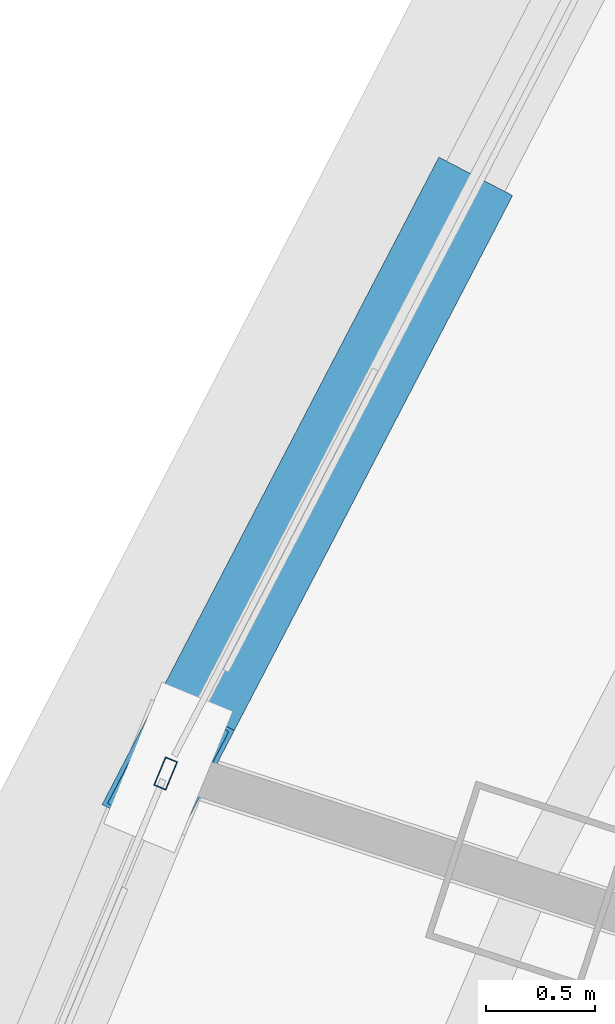
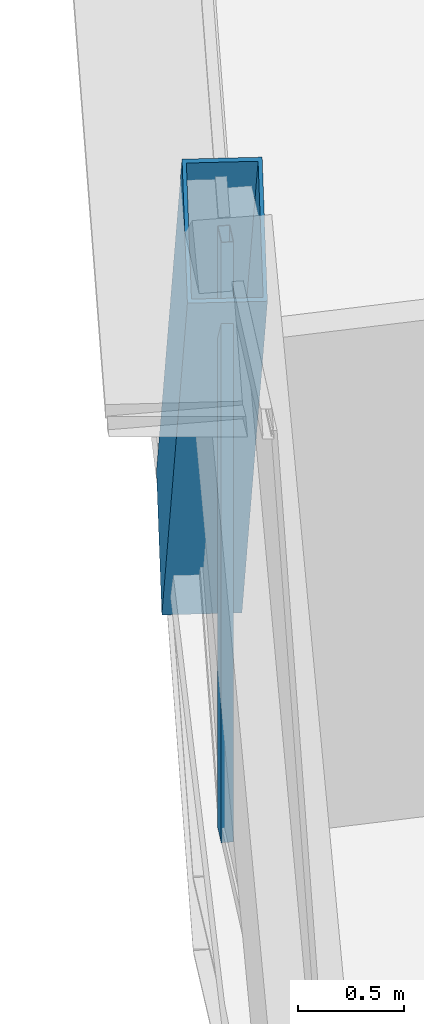
# One storey, part 8 of 35: 2 members, 1 element without a shape of its own.
"""IFC4 building model written with IfcOpenShell, lengths in metres."""

import ifcopenshell
import ifcopenshell.guid

model = None  # the IFC model being written
_history = None  # IfcOwnerHistory: only IFC2X3 demands one
_inside = {}  # id of a spatial element -> (the spatial element, [elements in it])
_under = {}  # id of a project, library or spatial element -> (it, [spatial elements below it])
_declared = {}  # id of a project -> (the project, [libraries it declares])
_typed = {}  # id of a type object -> (the type object, [elements of that type])
_made_of = {}  # id of a material, layer set ... -> (it, [elements and type objects made of it])


def new_model(schema):
    """Start an empty IFC model of exactly this schema.

    Asked for "IFC4X3", IfcOpenShell would pick the latest addendum, in which some entities
    have other attributes; the version numbers below select the first issue.
    IFC2X3 requires an IfcOwnerHistory on every rooted entity: one is made here for all.
    """
    global model, _history
    if schema == "IFC4X3":
        model = ifcopenshell.file(schema_version=(4, 3, 0, 0))
    else:
        model = ifcopenshell.file(schema=schema)
    _inside.clear()
    _under.clear()
    _declared.clear()
    _typed.clear()
    _made_of.clear()
    _history = None
    if model.schema == "IFC2X3":
        org = make("IfcOrganization", Name="unknown")
        user = make(
            "IfcPersonAndOrganization",
            ThePerson=make("IfcPerson", FamilyName="unknown"),
            TheOrganization=org,
        )
        app = make(
            "IfcApplication",
            ApplicationDeveloper=org,
            Version="unknown",
            ApplicationFullName="unknown",
            ApplicationIdentifier="unknown",
        )
        _history = make(
            "IfcOwnerHistory",
            OwningUser=user,
            OwningApplication=app,
            ChangeAction="ADDED",
            CreationDate=0,
        )
    return model


def make(cls, **values):
    """One entity of the class cls with the attributes given. An attribute that is None is left unset."""
    return model.create_entity(
        cls, **{name: value for name, value in values.items() if value is not None}
    )


def rooted(cls, **values):
    """An entity with a GlobalId (a new one), such as an element, a storey or a relation."""
    return make(cls, GlobalId=ifcopenshell.guid.new(), OwnerHistory=_history, **values)


def si_unit(unit_type, name, prefix=None):
    """IfcSIUnit, for example si_unit("LENGTHUNIT", "METRE", prefix="MILLI")."""
    return make("IfcSIUnit", UnitType=unit_type, Prefix=prefix, Name=name)


def assignment(units):
    """IfcUnitAssignment: the units of a project."""
    return None if units is None else make("IfcUnitAssignment", Units=units)


def point(xyz):
    """IfcCartesianPoint."""
    return None if xyz is None else make("IfcCartesianPoint", Coordinates=xyz)


def direction(xyz):
    """IfcDirection."""
    return None if xyz is None else make("IfcDirection", DirectionRatios=xyz)


def frame(location, z_axis=None, x_axis=None):
    """IfcAxis2Placement3D, a coordinate frame: its origin and axes. An axis left out is left unset."""
    return make(
        "IfcAxis2Placement3D",
        Location=point(location),
        Axis=direction(z_axis),
        RefDirection=direction(x_axis),
    )


def frame_2d(location, x_axis=None):
    """IfcAxis2Placement2D, a coordinate frame in the plane: its origin and x axis."""
    return make(
        "IfcAxis2Placement2D", Location=point(location), RefDirection=direction(x_axis)
    )


def origin():
    """The frame at (0, 0, 0) with its axes left unset."""
    return frame((0.0, 0.0, 0.0))


def origin_2d():
    """The frame at (0, 0) in the plane with its x axis left unset."""
    return frame_2d((0.0, 0.0))


def place(relative_to, where):
    """IfcLocalPlacement: puts the frame where relative to a parent placement (None: the world)."""
    return make(
        "IfcLocalPlacement", PlacementRelTo=relative_to, RelativePlacement=where
    )


def context(
    kind, dimensions, precision=None, world=None, true_north=None, identifier=None
):
    """IfcGeometricRepresentationContext, for example the 3D "Model" context."""
    return make(
        "IfcGeometricRepresentationContext",
        ContextIdentifier=identifier,
        ContextType=kind,
        CoordinateSpaceDimension=dimensions,
        Precision=precision,
        WorldCoordinateSystem=world,
        TrueNorth=true_north,
    )


def subcontext(parent, identifier, kind, view, scale=None):
    """IfcGeometricRepresentationSubContext, for example "Body" below "Model"."""
    return make(
        "IfcGeometricRepresentationSubContext",
        ContextIdentifier=identifier,
        ContextType=kind,
        ParentContext=parent,
        TargetScale=scale,
        TargetView=view,
    )


def project(units=None, contexts=None):
    """IfcProject with its units and contexts."""
    return rooted(
        "IfcProject",
        Name="project",
        RepresentationContexts=contexts,
        UnitsInContext=assignment(units),
    )


def spatial(cls, under=None, at=None, **own):
    """A site, building, storey or space (cls), placed at a placement, below another one or the project."""
    s = rooted(cls, ObjectPlacement=at, **own)
    if under is not None:
        _under.setdefault(under.id(), (under, []))[1].append(s)
    return s


def profile(cls, at=None, kind="AREA", **sizes):
    """A parametric profile (cls). Its sizes go by their IFC names, for example OverallWidth=200.0."""
    return make(cls, ProfileType=kind, Position=at, **sizes)


def hollow_rectangle(**sizes):
    """IfcRectangleHollowProfileDef."""
    return profile("IfcRectangleHollowProfileDef", **sizes)


def extrude(swept, where, along, depth):
    """IfcExtrudedAreaSolid: the profile swept, set in the frame where, extruded along a direction by depth."""
    return make(
        "IfcExtrudedAreaSolid",
        SweptArea=swept,
        Position=where,
        ExtrudedDirection=direction(along),
        Depth=depth,
    )


def shape(context_of_items, identifier, shape_type, items):
    """IfcShapeRepresentation: the items that make up one representation, for example the "Body"."""
    return make(
        "IfcShapeRepresentation",
        ContextOfItems=context_of_items,
        RepresentationIdentifier=identifier,
        RepresentationType=shape_type,
        Items=items,
    )


def source(mapping_origin, context_of_items, identifier, shape_type, items):
    """IfcRepresentationMap: a shape defined once, which mapped items show again and again."""
    return make(
        "IfcRepresentationMap",
        MappingOrigin=mapping_origin,
        MappedRepresentation=shape(context_of_items, identifier, shape_type, items),
    )


def transform(
    local_origin,
    x_axis=None,
    y_axis=None,
    z_axis=None,
    scale=None,
    scale2=None,
    scale3=None,
    uniform=True,
):
    """IfcCartesianTransformationOperator3D, or its non-uniform kind. x_axis, y_axis, z_axis: its Axis1, 2, 3."""
    if uniform:
        return make(
            "IfcCartesianTransformationOperator3D",
            Axis1=direction(x_axis),
            Axis2=direction(y_axis),
            LocalOrigin=point(local_origin),
            Scale=scale,
            Axis3=direction(z_axis),
        )
    return make(
        "IfcCartesianTransformationOperator3DnonUniform",
        Axis1=direction(x_axis),
        Axis2=direction(y_axis),
        LocalOrigin=point(local_origin),
        Scale=scale,
        Axis3=direction(z_axis),
        Scale2=scale2,
        Scale3=scale3,
    )


def mapped(mapping_source, mapping_target):
    """IfcMappedItem: shows the shape of a source again, moved by a transform."""
    return make(
        "IfcMappedItem", MappingSource=mapping_source, MappingTarget=mapping_target
    )


def material(Name=None, Category=None):
    """IfcMaterial."""
    return make("IfcMaterial", Name=Name, Category=Category)


def layer(
    of_material, thickness, ventilated=None, Name=None, Category=None, Priority=None
):
    """IfcMaterialLayer: one layer of a wall or slab, of a material (None: an air gap)."""
    return make(
        "IfcMaterialLayer",
        Material=of_material,
        LayerThickness=thickness,
        IsVentilated=ventilated,
        Name=Name,
        Category=Category,
        Priority=Priority,
    )


def layer_set(layers, Name=None):
    """IfcMaterialLayerSet."""
    return make("IfcMaterialLayerSet", MaterialLayers=layers, LayerSetName=Name)


def material_profile(
    of_material, cross_section, Name=None, Category=None, Priority=None
):
    """IfcMaterialProfile: a cross section and its material."""
    return make(
        "IfcMaterialProfile",
        Name=Name,
        Material=of_material,
        Profile=cross_section,
        Priority=Priority,
        Category=Category,
    )


def profile_set(profiles, Name=None, composite=None):
    """IfcMaterialProfileSet."""
    return make(
        "IfcMaterialProfileSet",
        Name=Name,
        MaterialProfiles=profiles,
        CompositeProfile=composite,
    )


def made_of(thing, what):
    """Note that an element or type object is made of a material, layer set ...; save() writes the relation."""
    if what is not None:
        _made_of.setdefault(what.id(), (what, []))[1].append(thing)
    return thing


def type_object(cls, material=None, **own):
    """A type object (cls), such as IfcWallType, which elements share."""
    return made_of(rooted(cls, **own), material)


def element(
    cls,
    number,
    at=None,
    inside=None,
    cuts=None,
    type_object=None,
    material=None,
    context=None,
    identifier="Body",
    shape_type=None,
    held_by="IfcProductDefinitionShape",
    body=None,
    shapes=None,
    **own,
):
    """One element of the class cls, such as IfcWall. Its Tag is "e" and its number.

    at: its placement. inside: the storey or other place that contains it. cuts: it is an
    opening in that element (IfcRelVoidsElement). A single representation is given by context,
    identifier, shape_type and body (its items); several are given by shapes. held_by: the class
    of the entity that holds the representations. save() writes the other relations.
    """
    e = rooted(cls, Tag="e%d" % number, ObjectPlacement=at, **own)
    if body is not None:
        shapes = [shape(context, identifier, shape_type, body)]
    if shapes is not None:
        e.Representation = make(held_by, Representations=shapes)
    if inside is not None:
        _inside.setdefault(inside.id(), (inside, []))[1].append(e)
    if cuts is not None:
        rooted(
            "IfcRelVoidsElement", RelatingBuildingElement=cuts, RelatedOpeningElement=e
        )
    if type_object is not None:
        _typed.setdefault(type_object.id(), (type_object, []))[1].append(e)
    return made_of(e, material)


def aggregate(whole, parts):
    """IfcRelAggregates: a whole, such as a stair, and the parts it consists of."""
    return rooted("IfcRelAggregates", RelatingObject=whole, RelatedObjects=parts)


def save(model, path):
    """Write the relations noted so far, then the file.

    IfcRelAggregates (storeys below a building ...), IfcRelContainedInSpatialStructure (elements
    in a storey), IfcRelDefinesByType, IfcRelAssociatesMaterial and IfcRelDeclares: one each for
    every whole, place, type object, material and project.
    """
    for whole, parts in _under.values():
        aggregate(whole, parts)
    for where, things in _inside.values():
        rooted(
            "IfcRelContainedInSpatialStructure",
            RelatedElements=things,
            RelatingStructure=where,
        )
    for kind, things in _typed.values():
        rooted("IfcRelDefinesByType", RelatedObjects=things, RelatingType=kind)
    for what, things in _made_of.values():
        rooted("IfcRelAssociatesMaterial", RelatedObjects=things, RelatingMaterial=what)
    for by, libraries in _declared.values():
        rooted("IfcRelDeclares", RelatingContext=by, RelatedDefinitions=libraries)
    model.write(path)


model = new_model("IFC4")

# Units and contexts
model_context = context("Model", 3, precision=1e-05, world=origin(), true_north=direction((0.0, 1.0)))
body_context = subcontext(model_context, "Body", "Model", "MODEL_VIEW")
ifc_project = project(units=[si_unit("LENGTHUNIT", "METRE"), si_unit("AREAUNIT", "SQUARE_METRE"), si_unit("VOLUMEUNIT", "CUBIC_METRE"), si_unit("PLANEANGLEUNIT", "RADIAN"), si_unit("MASSUNIT", "GRAM", prefix="KILO"), si_unit("THERMODYNAMICTEMPERATUREUNIT", "KELVIN"), si_unit("POWERUNIT", "WATT")], contexts=[model_context])

# Site, building, storey
site_placement = place(None, origin())
site = spatial("IfcSite", under=ifc_project, at=site_placement, CompositionType="ELEMENT")
building_placement = place(site_placement, origin())
building = spatial("IfcBuilding", under=site, at=building_placement, Name="Yunzhuo Pagoda Commons", CompositionType="ELEMENT")
storey_placement = place(building_placement, frame((0.0, 0.0, 299.93994140625)))
storey = spatial("IfcBuildingStorey", under=building, at=storey_placement, Name="L75", CompositionType="ELEMENT", Elevation=299.93994140625)

# Member
ifc_material_1 = material(Name="Structural steel Q355B", Category="steel")
ifc_material_profile_1 = material_profile(ifc_material_1, hollow_rectangle(XDim=0.3798828125, YDim=0.719970703125, WallThickness=0.02001953125, at=origin_2d()), Name="Structural steel Q355B")
ifc_profile_set_1 = profile_set([ifc_material_profile_1], Name="Structural steel Q355B")
member_type_1 = type_object("IfcMemberType", Name="M-DL3 Brace BOX 720x380x20", PredefinedType="BRACE", material=ifc_profile_set_1)
shared_shape_1 = source(origin(), body_context, "Body", "SweptSolid", [
    extrude(hollow_rectangle(XDim=0.3798828125, YDim=0.719970703125, WallThickness=0.02001953125, at=origin_2d()), origin(), (0.0, 0.0, 1.0), 4.637451171875),
])
member_1_placement = place(storey_placement, frame((24.32177734375, 44.251220703125, -0.260009765625), z_axis=(-0.274229639101, -0.527137910601, 0.804315689419), x_axis=(0.887135553704, -0.461508948292, 0.0)))
element("IfcMember", 1, at=member_1_placement, inside=storey, type_object=member_type_1, Name="L75 facade diamond brace F3.2R", PredefinedType="BRACE", context=body_context, shape_type="MappedRepresentation", body=[
    mapped(shared_shape_1, transform((0.0, 0.0, 0.0), scale=1.0)),
])

# Curtain wall, member
ifc_material_2 = material(Name="Anodized aluminium 6063-T6", Category="aluminium")
ifc_layer = layer(ifc_material_2, 0.139892578125)
ifc_layer_set = layer_set([ifc_layer], Name="Anodized aluminium 6063-T6")
curtain_wall_type = type_object("IfcCurtainWallType", Name="CW-HI High-Zone Ribbon Curtain Wall", PredefinedType="NOTDEFINED", material=ifc_layer_set)
curtain_wall_placement = place(storey_placement, origin())
curtain_wall = element("IfcCurtainWall", 2, at=curtain_wall_placement, inside=storey, type_object=curtain_wall_type, Name="L75 curtain wall CW-L75-F3B4", PredefinedType="NOTDEFINED")
ifc_material_profile_2 = material_profile(ifc_material_2, hollow_rectangle(XDim=0.06005859375, YDim=0.139892578125, WallThickness=0.00341796875, at=origin_2d()), Name="Anodized aluminium 6063-T6")
ifc_profile_set_2 = profile_set([ifc_material_profile_2], Name="Anodized aluminium 6063-T6")
member_type_2 = type_object("IfcMemberType", Name="CW-HI-M Mullion RHS 140x60x3.5", PredefinedType="MULLION", material=ifc_profile_set_2)
shared_shape_2 = source(origin(), body_context, "Body", "SweptSolid", [
    extrude(hollow_rectangle(XDim=0.06005859375, YDim=0.139892578125, WallThickness=0.00341796875, at=origin_2d()), origin(), (0.0, 0.0, 1.0), 3.469970703125),
])
member_2_placement = place(storey_placement, frame((23.038330078125, 41.779052734375, 0.0), z_axis=(0.0, 0.0, 1.0), x_axis=(0.922876210298, -0.385096741697, 0.0)))
member_2 = element("IfcMember", 3, at=member_2_placement, type_object=member_type_2, Name="CW mullion 1", PredefinedType="MULLION", context=body_context, shape_type="MappedRepresentation", body=[
    mapped(shared_shape_2, transform((0.0, 0.0, 0.0), scale=1.0)),
])
aggregate(curtain_wall, [member_2])

save(model, "model.ifc")
